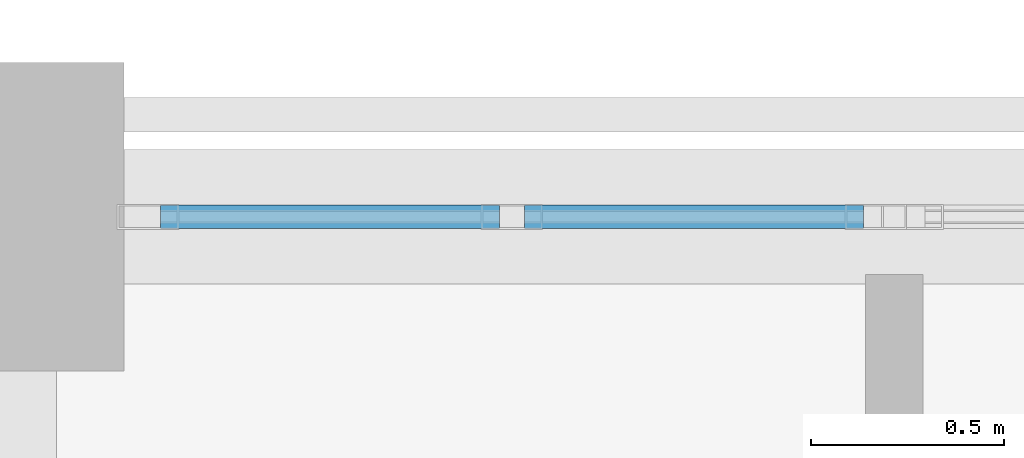
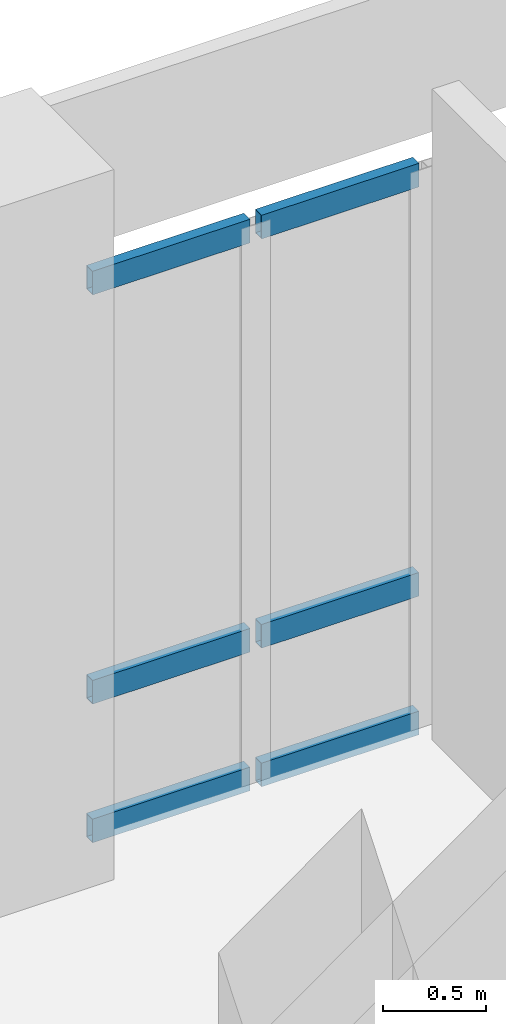
# One storey, part 123 of 170: 6 members, 1 element without a shape of its own.
"""IFC4 building model written with IfcOpenShell, lengths in metres."""

from ifc_helpers import new_model, si_unit, direction, frame, origin, origin_2d, place, context, subcontext, project, spatial, hollow_rectangle, extrude, material, material_profile, profile_set, type_object, element, aggregate, save


model = new_model("IFC4")

# Units and contexts
model_context = context("Model", 3, precision=1e-05, world=origin(), true_north=direction((0.0, 1.0)))
body_context = subcontext(model_context, "Body", "Model", "MODEL_VIEW")
ifc_project = project(units=[si_unit("LENGTHUNIT", "METRE"), si_unit("AREAUNIT", "SQUARE_METRE"), si_unit("VOLUMEUNIT", "CUBIC_METRE"), si_unit("PLANEANGLEUNIT", "RADIAN"), si_unit("MASSUNIT", "GRAM", prefix="KILO")], contexts=[model_context])

# Site, building, storey
site_placement = place(None, origin())
site = spatial("IfcSite", under=ifc_project, at=site_placement, CompositionType="ELEMENT")
building_placement = place(site_placement, origin())
building = spatial("IfcBuilding", under=site, at=building_placement, Name="Vondelvale Polytechnic", CompositionType="ELEMENT")
storey_placement = place(building_placement, frame((0.0, 0.0, 5.39990234375)))
storey = spatial("IfcBuildingStorey", under=building, at=storey_placement, Name="L01", CompositionType="ELEMENT", Elevation=5.39990234375)

# Curtain wall, members
ifc_material = material(Name="Anodised extruded aluminium 6063-T6", Category="aluminium")
curtain_wall_type = type_object("IfcCurtainWallType", Name="CW-STUDIO-NORTH", PredefinedType="NOTDEFINED", material=ifc_material)
curtain_wall_placement = place(storey_placement, origin())
curtain_wall = element("IfcCurtainWall", 1, at=curtain_wall_placement, inside=storey, type_object=curtain_wall_type, Name="L01 architectural curtain wall CW-01-059", PredefinedType="NOTDEFINED")
ifc_material_profile = material_profile(ifc_material, hollow_rectangle(XDim=0.06005859375, YDim=0.139892578125, WallThickness=0.00341796875, at=origin_2d()), Name="CW-TRN-140x60")
ifc_profile_set = profile_set([ifc_material_profile], Name="Anodised extruded aluminium 6063-T6")
member_type = type_object("IfcMemberType", Name="CW-TRN-60x140", PredefinedType="USERDEFINED", material=ifc_profile_set)
member_1_placement = place(storey_placement, frame((144.4951171875, 30.60009765625, 0.030029296875), z_axis=(1.0, 0.0, 0.0), x_axis=(0.0, 1.0, 0.0)))
member_1 = element("IfcMember", 2, at=member_1_placement, type_object=member_type, Name="CW-01-059 transom 1.1", ObjectType="TRANSOM", PredefinedType="USERDEFINED", context=body_context, shape_type="SweptSolid", body=[
    extrude(hollow_rectangle(XDim=0.06005859375, YDim=0.139892578125, WallThickness=0.00341796875, at=origin_2d()), origin(), (0.0, 0.0, 1.0), 0.8798828125),
])
member_2_placement = place(storey_placement, frame((144.4951171875, 30.60009765625, 0.85009765625), z_axis=(1.0, 0.0, 0.0), x_axis=(0.0, 1.0, 0.0)))
member_2 = element("IfcMember", 3, at=member_2_placement, type_object=member_type, Name="CW-01-059 transom 1.2", ObjectType="TRANSOM", PredefinedType="USERDEFINED", context=body_context, shape_type="SweptSolid", body=[
    extrude(hollow_rectangle(XDim=0.06005859375, YDim=0.139892578125, WallThickness=0.00341796875, at=origin_2d()), origin(), (0.0, 0.0, 1.0), 0.8798828125),
])
member_3_placement = place(storey_placement, frame((144.4951171875, 30.60009765625, 3.27001953125), z_axis=(1.0, 0.0, 0.0), x_axis=(0.0, 1.0, 0.0)))
member_3 = element("IfcMember", 4, at=member_3_placement, type_object=member_type, Name="CW-01-059 transom 1.3", ObjectType="TRANSOM", PredefinedType="USERDEFINED", context=body_context, shape_type="SweptSolid", body=[
    extrude(hollow_rectangle(XDim=0.06005859375, YDim=0.139892578125, WallThickness=0.00341796875, at=origin_2d()), origin(), (0.0, 0.0, 1.0), 0.8798828125),
])
member_4_placement = place(storey_placement, frame((145.43994140625, 30.60009765625, 0.030029296875), z_axis=(1.0, 0.0, 0.0), x_axis=(0.0, 1.0, 0.0)))
member_4 = element("IfcMember", 5, at=member_4_placement, type_object=member_type, Name="CW-01-059 transom 2.1", ObjectType="TRANSOM", PredefinedType="USERDEFINED", context=body_context, shape_type="SweptSolid", body=[
    extrude(hollow_rectangle(XDim=0.06005859375, YDim=0.139892578125, WallThickness=0.00341796875, at=origin_2d()), origin(), (0.0, 0.0, 1.0), 0.880126953125),
])
member_5_placement = place(storey_placement, frame((145.43994140625, 30.60009765625, 0.85009765625), z_axis=(1.0, 0.0, 0.0), x_axis=(0.0, 1.0, 0.0)))
member_5 = element("IfcMember", 6, at=member_5_placement, type_object=member_type, Name="CW-01-059 transom 2.2", ObjectType="TRANSOM", PredefinedType="USERDEFINED", context=body_context, shape_type="SweptSolid", body=[
    extrude(hollow_rectangle(XDim=0.06005859375, YDim=0.139892578125, WallThickness=0.00341796875, at=origin_2d()), origin(), (0.0, 0.0, 1.0), 0.880126953125),
])
member_6_placement = place(storey_placement, frame((145.43994140625, 30.60009765625, 3.27001953125), z_axis=(1.0, 0.0, 0.0), x_axis=(0.0, 1.0, 0.0)))
member_6 = element("IfcMember", 7, at=member_6_placement, type_object=member_type, Name="CW-01-059 transom 2.3", ObjectType="TRANSOM", PredefinedType="USERDEFINED", context=body_context, shape_type="SweptSolid", body=[
    extrude(hollow_rectangle(XDim=0.06005859375, YDim=0.139892578125, WallThickness=0.00341796875, at=origin_2d()), origin(), (0.0, 0.0, 1.0), 0.880126953125),
])
aggregate(curtain_wall, [member_1, member_2, member_3, member_4, member_5, member_6])

save(model, "model.ifc")
